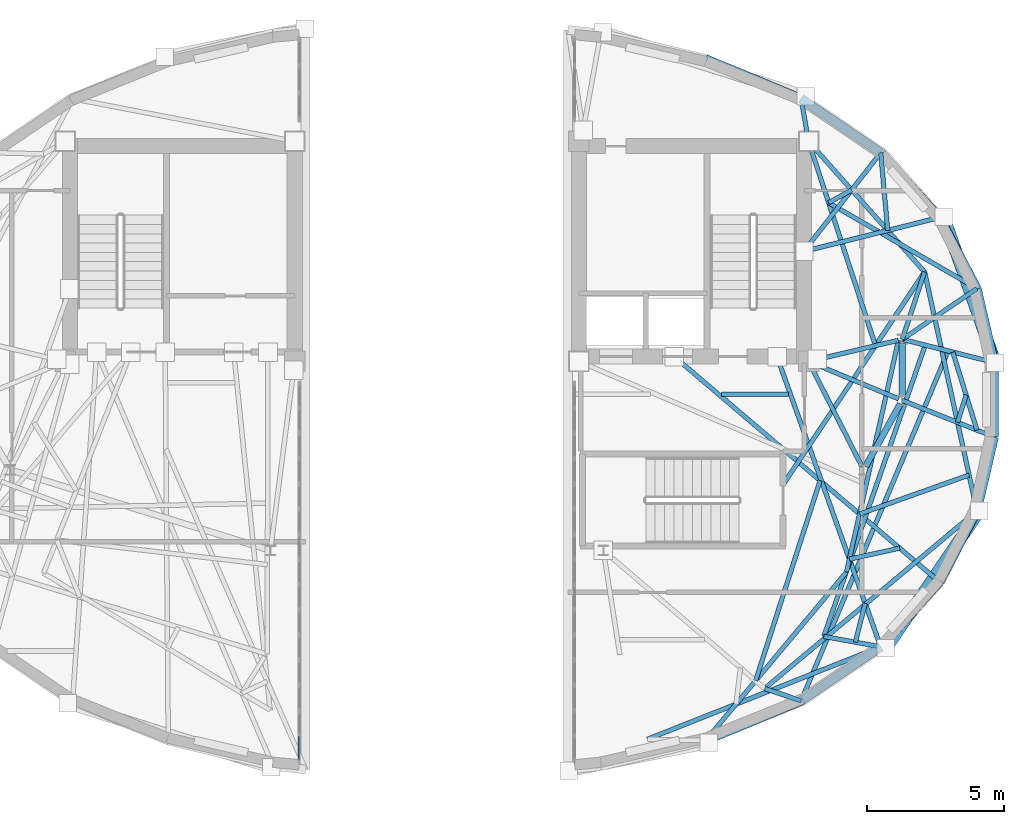
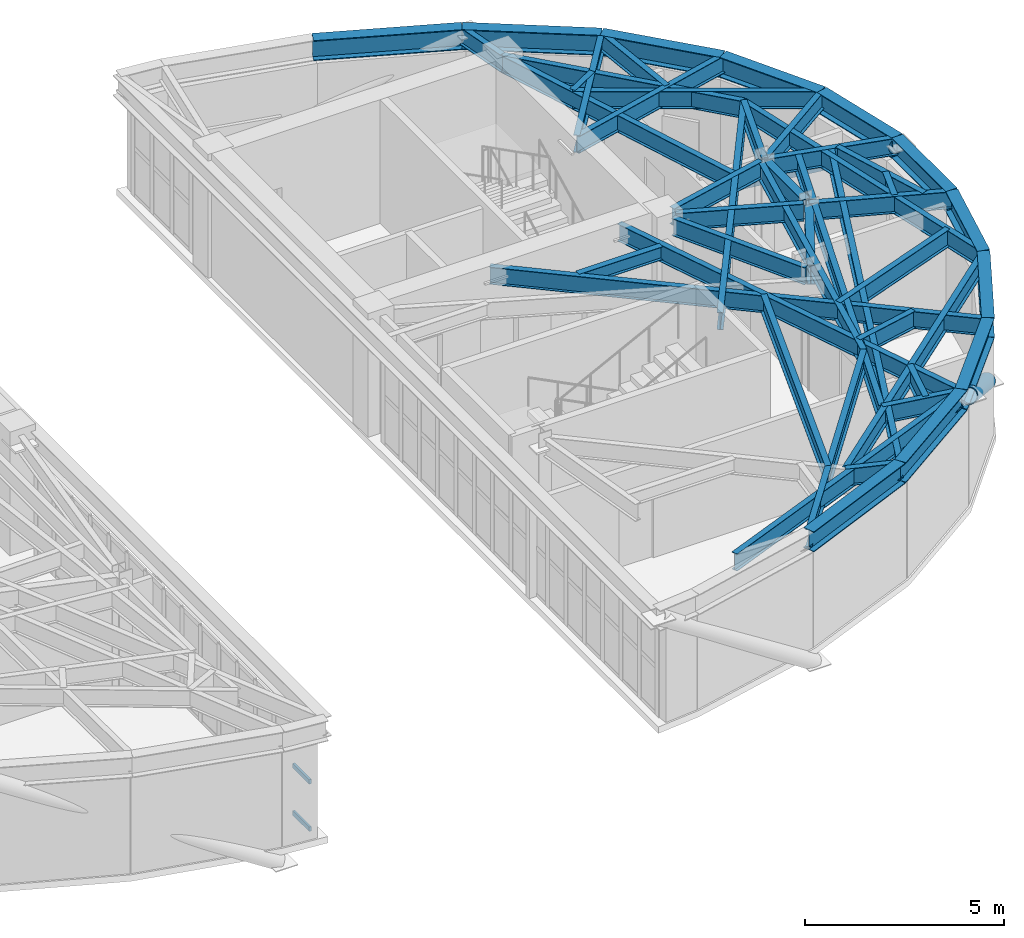
# One storey, part 5 of 13: 47 beams, 4 members, 1 element without a shape of its own.
"""IFC4 building model written with IfcOpenShell, lengths in metres."""

from ifc_helpers import new_model, si_unit, direction, frame, origin, origin_2d, place, context, subcontext, project, spatial, rectangle, hollow_circle, i_section, extrude, material, layer, layer_set, material_profile, profile_set, type_object, element, aggregate, save


model = new_model("IFC4")

# Units and contexts
model_context = context("Model", 3, precision=1e-05, world=origin(), true_north=direction((0.0, 1.0)))
body_context = subcontext(model_context, "Body", "Model", "MODEL_VIEW")
ifc_project = project(units=[si_unit("LENGTHUNIT", "METRE"), si_unit("AREAUNIT", "SQUARE_METRE"), si_unit("VOLUMEUNIT", "CUBIC_METRE"), si_unit("PLANEANGLEUNIT", "RADIAN"), si_unit("MASSUNIT", "GRAM", prefix="KILO")], contexts=[model_context])

# Site, building, storey
site_placement = place(None, origin())
site = spatial("IfcSite", under=ifc_project, at=site_placement, CompositionType="ELEMENT")
building_placement = place(site_placement, origin())
building = spatial("IfcBuilding", under=site, at=building_placement, Name="Keldmark Tower", CompositionType="ELEMENT")
storey_placement = place(building_placement, frame((0.0, 0.0, 276.800048828125)))
storey = spatial("IfcBuildingStorey", under=building, at=storey_placement, Name="L78", CompositionType="ELEMENT", Elevation=276.800048828125)

# Beam
ifc_material_1 = material(Name="Steel ASTM A992 Grade 50", Category="steel")
ifc_material_profile_1 = material_profile(ifc_material_1, i_section(OverallWidth=0.177978515625, OverallDepth=0.403076171875, WebThickness=0.007568359375, FlangeThickness=0.010986328125, at=origin_2d()), Name="W16X36")
ifc_profile_set_1 = profile_set([ifc_material_profile_1], Name="Steel ASTM A992 Grade 50")
beam_type_1 = type_object("IfcBeamType", Name="Composite Floor Joist W16X36", PredefinedType="JOIST", material=ifc_profile_set_1)
beam_1_placement = place(storey_placement, frame((10.423095703125, 0.199951171875, 3.3984375), z_axis=(1.0, 0.0, 0.0), x_axis=(0.0, 1.0, 0.0)))
element("IfcBeam", 1, at=beam_1_placement, inside=storey, type_object=beam_type_1, Name="L78 Composite Floor Joist J03", PredefinedType="JOIST", context=body_context, shape_type="SweptSolid", body=[
    extrude(i_section(OverallWidth=0.177978515625, OverallDepth=0.403076171875, WebThickness=0.007568359375, FlangeThickness=0.010986328125, at=origin_2d()), origin(), (0.0, 0.0, 1.0), 2.434814453125),
])

# Members
ifc_material_2 = material(Name="Steel ASTM A572 Grade 50", Category="steel")
ifc_material_profile_2 = material_profile(ifc_material_2, hollow_circle(Radius=0.22509765625, WallThickness=0.02197265625, at=origin_2d()), Name="CHS450X22")
ifc_profile_set_2 = profile_set([ifc_material_profile_2], Name="Steel ASTM A572 Grade 50")
member_type_1 = type_object("IfcMemberType", Name="Crown Frame Brace CHS450X22", PredefinedType="USERDEFINED", material=ifc_profile_set_2)
member_1_placement = place(storey_placement, frame((18.544921875, 6.688232421875, -0.449951171875), z_axis=(0.276718751371, -0.782531387423, 0.557737716438), x_axis=(0.942789303408, 0.333389156062, 0.0)))
element("IfcMember", 2, at=member_1_placement, inside=storey, type_object=member_type_1, Name="L78 Crown Frame Diagonal E04", ObjectType="CROWN FRAME", PredefinedType="USERDEFINED", context=body_context, shape_type="SweptSolid", body=[
    extrude(hollow_circle(Radius=0.22509765625, WallThickness=0.02197265625, at=origin_2d()), origin(), (0.0, 0.0, 1.0), 6.81298828125),
])
member_2_placement = place(storey_placement, frame((19.853271484375, -4.0625, -0.449951171875), z_axis=(-0.476744480543, -0.701749099464, 0.529398622658), x_axis=(0.827170275638, -0.561951363644, 0.0)))
element("IfcMember", 3, at=member_2_placement, inside=storey, type_object=member_type_1, Name="L78 Crown Frame Diagonal E08", ObjectType="CROWN FRAME", PredefinedType="USERDEFINED", context=body_context, shape_type="SweptSolid", body=[
    extrude(hollow_circle(Radius=0.22509765625, WallThickness=0.02197265625, at=origin_2d()), origin(), (0.0, 0.0, 1.0), 7.177490234375),
])

# Curtain wall, members
ifc_material_3 = material(Name="Unitized Thermally Broken Aluminum and Triple Low-E Glazing", Category="aluminium")
ifc_layer = layer(ifc_material_3, 0.219970703125)
ifc_layer_set = layer_set([ifc_layer], Name="Unitized Thermally Broken Aluminum and Triple Low-E Glazing")
curtain_wall_type = type_object("IfcCurtainWallType", Name="Split-Top Crown Lantern Curtain Wall System", PredefinedType="NOTDEFINED", material=ifc_layer_set)
curtain_wall_placement = place(storey_placement, origin())
curtain_wall = element("IfcCurtainWall", 4, at=curtain_wall_placement, inside=storey, type_object=curtain_wall_type, Name="L78 Split-Top Crown Lantern Curtain Wall System CW-L78-WS14-0", PredefinedType="NOTDEFINED")
ifc_material_4 = material(Name="Extruded Aluminum Alloy 6063-T6", Category="aluminium")
ifc_material_profile_3 = material_profile(ifc_material_4, rectangle(XDim=0.06005859375, YDim=0.139892578125, at=origin_2d()), Name="CWT60X140")
ifc_profile_set_3 = profile_set([ifc_material_profile_3], Name="Extruded Aluminum Alloy 6063-T6")
member_type_2 = type_object("IfcMemberType", Name="Curtain Wall Horizontal Transom 60x140", PredefinedType="USERDEFINED", material=ifc_profile_set_3)
member_3_placement = place(storey_placement, frame((-5.0400390625, -13.15869140625, 0.030029296875), z_axis=(0.0, 1.0, 0.0), x_axis=(-1.0, 0.0, 0.0)))
member_3 = element("IfcMember", 5, at=member_3_placement, type_object=member_type_2, Name="CW transom 1.1", ObjectType="TRANSOM", PredefinedType="USERDEFINED", context=body_context, shape_type="SweptSolid", body=[
    extrude(rectangle(XDim=0.06005859375, YDim=0.139892578125, at=origin_2d()), origin(), (0.0, 0.0, 1.0), 0.832763671875),
])
member_4_placement = place(storey_placement, frame((-5.0400390625, -13.15869140625, 1.48291015625), z_axis=(0.0, 1.0, 0.0), x_axis=(-1.0, 0.0, 0.0)))
member_4 = element("IfcMember", 6, at=member_4_placement, type_object=member_type_2, Name="CW transom 1.2", ObjectType="TRANSOM", PredefinedType="USERDEFINED", context=body_context, shape_type="SweptSolid", body=[
    extrude(rectangle(XDim=0.06005859375, YDim=0.139892578125, at=origin_2d()), origin(), (0.0, 0.0, 1.0), 0.832763671875),
])
aggregate(curtain_wall, [member_3, member_4])

# Beams
ifc_material_5 = material(Name="Steel ASTM A992 Grade 50", Category="steel")
ifc_material_profile_4 = material_profile(ifc_material_5, i_section(OverallWidth=0.22802734375, OverallDepth=0.60302734375, WebThickness=0.010498046875, FlangeThickness=0.014892578125, at=origin_2d()), Name="W24X68")
ifc_profile_set_4 = profile_set([ifc_material_profile_4], Name="Steel ASTM A992 Grade 50")
beam_type_2 = type_object("IfcBeamType", Name="Primary Floor Girder W24X68", PredefinedType="BEAM", material=ifc_profile_set_4)
beam_2_placement = place(storey_placement, frame((15.68408203125, -2.44482421875, 3.29833984375), z_axis=(0.484719680408, 0.874669555561, 0.0), x_axis=(-0.874669555561, 0.484719680408, 0.0)))
element("IfcBeam", 7, at=beam_2_placement, inside=storey, type_object=beam_type_2, Name="L78 Floor Ring Girder FG-R07", PredefinedType="BEAM", context=body_context, shape_type="SweptSolid", body=[
    extrude(i_section(OverallWidth=0.22802734375, OverallDepth=0.60302734375, WebThickness=0.010498046875, FlangeThickness=0.014892578125, at=origin_2d()), origin(), (0.0, 0.0, 1.0), 2.627685546875),
])
beam_3_placement = place(storey_placement, frame((17.025634765625, 0.115966796875, 3.29833984375), z_axis=(0.0, 1.0, 0.0), x_axis=(-1.0, 0.0, 0.0)))
element("IfcBeam", 8, at=beam_3_placement, inside=storey, type_object=beam_type_2, Name="L78 Floor Ring Girder FG-R08", PredefinedType="BEAM", context=body_context, shape_type="SweptSolid", body=[
    extrude(i_section(OverallWidth=0.22802734375, OverallDepth=0.60302734375, WebThickness=0.010498046875, FlangeThickness=0.014892578125, at=origin_2d()), origin(), (0.0, 0.0, 1.0), 1.9521484375),
])
ifc_material_6 = material(Name="Steel ASTM A992 Grade 50", Category="steel")
ifc_material_profile_5 = material_profile(ifc_material_6, i_section(OverallWidth=0.166015625, OverallDepth=0.529052734375, WebThickness=0.009765625, FlangeThickness=0.013671875, at=origin_2d()), Name="W21X50")
ifc_profile_set_5 = profile_set([ifc_material_profile_5], Name="Steel ASTM A992 Grade 50")
beam_type_3 = type_object("IfcBeamType", Name="Radial Tie Girder W21X50", PredefinedType="BEAM", material=ifc_profile_set_5)
beam_4_placement = place(storey_placement, frame((16.889404296875, 2.17578125, 3.33544921875), z_axis=(-0.97329039005, -0.229577474147, 0.0), x_axis=(0.229577474147, -0.97329039005, 0.0)))
element("IfcBeam", 9, at=beam_4_placement, inside=storey, type_object=beam_type_3, Name="L78 Floor Radial Girder FG-C01", PredefinedType="BEAM", context=body_context, shape_type="SweptSolid", body=[
    extrude(i_section(OverallWidth=0.166015625, OverallDepth=0.529052734375, WebThickness=0.009765625, FlangeThickness=0.013671875, at=origin_2d()), origin(), (0.0, 0.0, 1.0), 3.0595703125),
])
beam_5_placement = place(storey_placement, frame((15.552734375, -2.442626953125, 3.33544921875), z_axis=(-0.453004410574, 0.89150827478, 0.0), x_axis=(-0.89150827478, -0.453004410574, 0.0)))
element("IfcBeam", 10, at=beam_5_placement, inside=storey, type_object=beam_type_3, Name="L78 Floor Radial Girder FG-C11", PredefinedType="BEAM", context=body_context, shape_type="SweptSolid", body=[
    extrude(i_section(OverallWidth=0.166015625, OverallDepth=0.529052734375, WebThickness=0.009765625, FlangeThickness=0.013671875, at=origin_2d()), origin(), (0.0, 0.0, 1.0), 3.990234375),
])
beam_6_placement = place(storey_placement, frame((16.896240234375, 0.02978515625, 3.33544921875), z_axis=(-0.923403331902, 0.383831065226, 0.0), x_axis=(-0.383831065226, -0.923403331902, 0.0)))
element("IfcBeam", 11, at=beam_6_placement, inside=storey, type_object=beam_type_3, Name="L78 Floor Radial Girder FG-C12", PredefinedType="BEAM", context=body_context, shape_type="SweptSolid", body=[
    extrude(i_section(OverallWidth=0.166015625, OverallDepth=0.529052734375, WebThickness=0.009765625, FlangeThickness=0.013671875, at=origin_2d()), origin(), (0.0, 0.0, 1.0), 3.249755859375),
])
beam_7_placement = place(storey_placement, frame((16.889404296875, 2.17578125, 3.33544921875), z_axis=(-0.218824422824, -0.975764250204, 0.0), x_axis=(0.975764250204, -0.218824422824, 0.0)))
element("IfcBeam", 12, at=beam_7_placement, inside=storey, type_object=beam_type_3, Name="L78 Sub-Ring Step Girder STP1-E07", PredefinedType="BEAM", context=body_context, shape_type="SweptSolid", body=[
    extrude(i_section(OverallWidth=0.166015625, OverallDepth=0.529052734375, WebThickness=0.009765625, FlangeThickness=0.013671875, at=origin_2d()), origin(), (0.0, 0.0, 1.0), 8.6923828125),
])
beam_8_placement = place(storey_placement, frame((13.60009765625, 9.449951171875, 3.33544921875), z_axis=(0.311380160209, -0.95028542861, 0.0), x_axis=(0.95028542861, 0.311380160209, 0.0)))
element("IfcBeam", 13, at=beam_8_placement, inside=storey, type_object=beam_type_3, Name="L78 Framing Pin Header PH-002", PredefinedType="BEAM", context=body_context, shape_type="SweptSolid", body=[
    extrude(i_section(OverallWidth=0.166015625, OverallDepth=0.529052734375, WebThickness=0.009765625, FlangeThickness=0.013671875, at=origin_2d()), origin(), (0.0, 0.0, 1.0), 7.86328125),
])
beam_9_placement = place(storey_placement, frame((12.659912109375, -3.11328125, 3.33544921875), z_axis=(0.554115999973, 0.832439462408, 0.0), x_axis=(-0.832439462408, 0.554115999973, 0.0)))
element("IfcBeam", 14, at=beam_9_placement, inside=storey, type_object=beam_type_3, Name="L78 Intermediate Radial Step Girder CRT-E05M", PredefinedType="BEAM", context=body_context, shape_type="SweptSolid", body=[
    extrude(i_section(OverallWidth=0.166015625, OverallDepth=0.529052734375, WebThickness=0.009765625, FlangeThickness=0.013671875, at=origin_2d()), origin(), (0.0, 0.0, 1.0), 9.35693359375),
])
beam_10_placement = place(storey_placement, frame((17.025634765625, 2.2080078125, 3.33544921875), z_axis=(0.315016268374, 0.949086271453, 0.0), x_axis=(-0.949086271453, 0.315016268374, 0.0)))
element("IfcBeam", 15, at=beam_10_placement, inside=storey, type_object=beam_type_3, Name="L78 Local Collector Chord CRT-E05C", PredefinedType="BEAM", context=body_context, shape_type="SweptSolid", body=[
    extrude(i_section(OverallWidth=0.166015625, OverallDepth=0.529052734375, WebThickness=0.009765625, FlangeThickness=0.013671875, at=origin_2d()), origin(), (0.0, 0.0, 1.0), 2.60009765625),
])
beam_11_placement = place(storey_placement, frame((17.025634765625, 2.2080078125, 3.33544921875), z_axis=(0.82713248632, 0.562006984008, 0.0), x_axis=(-0.562006984008, 0.82713248632, 0.0)))
element("IfcBeam", 16, at=beam_11_placement, inside=storey, type_object=beam_type_3, Name="L78 Perimeter Column Bracket CRT-E06", PredefinedType="BEAM", context=body_context, shape_type="SweptSolid", body=[
    extrude(i_section(OverallWidth=0.166015625, OverallDepth=0.529052734375, WebThickness=0.009765625, FlangeThickness=0.013671875, at=origin_2d()), origin(), (0.0, 0.0, 1.0), 3.305908203125),
])
beam_12_placement = place(storey_placement, frame((17.025634765625, 2.2080078125, 3.33544921875), z_axis=(0.969868834346, -0.243627675285, 0.0), x_axis=(0.243627675285, 0.969868834346, 0.0)))
element("IfcBeam", 17, at=beam_12_placement, inside=storey, type_object=beam_type_3, Name="L78 Perimeter Column Bracket CRT-E07", PredefinedType="BEAM", context=body_context, shape_type="SweptSolid", body=[
    extrude(i_section(OverallWidth=0.166015625, OverallDepth=0.529052734375, WebThickness=0.009765625, FlangeThickness=0.013671875, at=origin_2d()), origin(), (0.0, 0.0, 1.0), 3.47119140625),
])
beam_13_placement = place(storey_placement, frame((17.025634765625, -0.02392578125, 3.33544921875), z_axis=(0.92926464276, -0.36941470425, 0.0), x_axis=(0.36941470425, 0.92926464276, 0.0)))
element("IfcBeam", 18, at=beam_13_placement, inside=storey, type_object=beam_type_3, Name="L78 Perimeter Column Bracket CRT-E08", PredefinedType="BEAM", context=body_context, shape_type="SweptSolid", body=[
    extrude(i_section(OverallWidth=0.166015625, OverallDepth=0.529052734375, WebThickness=0.009765625, FlangeThickness=0.013671875, at=origin_2d()), origin(), (0.0, 0.0, 1.0), 3.623046875),
])
beam_14_placement = place(storey_placement, frame((18.877197265625, 1.742919921875, 3.33544921875), z_axis=(0.295509708102, -0.955339736647, 0.0), x_axis=(0.955339736647, 0.295509708102, 0.0)))
element("IfcBeam", 19, at=beam_14_placement, inside=storey, type_object=beam_type_3, Name="L78 Framing Pin Header PH-003", PredefinedType="BEAM", context=body_context, shape_type="SweptSolid", body=[
    extrude(i_section(OverallWidth=0.166015625, OverallDepth=0.529052734375, WebThickness=0.009765625, FlangeThickness=0.013671875, at=origin_2d()), origin(), (0.0, 0.0, 1.0), 2.9873046875),
])
beam_15_placement = place(storey_placement, frame((19.36279296875, 0.17333984375, 3.33544921875), z_axis=(-0.297189051085, -0.954818657084, 0.0), x_axis=(0.954818657084, -0.297189051085, 0.0)))
element("IfcBeam", 20, at=beam_15_placement, inside=storey, type_object=beam_type_3, Name="L78 Framing Pin Header PH-004", PredefinedType="BEAM", context=body_context, shape_type="SweptSolid", body=[
    extrude(i_section(OverallWidth=0.166015625, OverallDepth=0.529052734375, WebThickness=0.009765625, FlangeThickness=0.013671875, at=origin_2d()), origin(), (0.0, 0.0, 1.0), 1.0498046875),
])
beam_16_placement = place(storey_placement, frame((17.8447265625, 4.67578125, 3.33544921875), z_axis=(0.21402068144, -0.976829129334, 0.0), x_axis=(0.976829129334, 0.21402068144, 0.0)))
element("IfcBeam", 21, at=beam_16_placement, inside=storey, type_object=beam_type_3, Name="L78 Perimeter Radial Tie Girder CRT-E09", PredefinedType="BEAM", context=body_context, shape_type="SweptSolid", body=[
    extrude(i_section(OverallWidth=0.166015625, OverallDepth=0.529052734375, WebThickness=0.009765625, FlangeThickness=0.013671875, at=origin_2d()), origin(), (0.0, 0.0, 1.0), 8.948974609375),
])
beam_17_placement = place(storey_placement, frame((19.47265625, -2.754638671875, 3.33544921875), z_axis=(-0.942043947224, -0.335489495363, 0.0), x_axis=(0.335489495363, -0.942043947224, 0.0)))
element("IfcBeam", 22, at=beam_17_placement, inside=storey, type_object=beam_type_3, Name="L78 Framing Pin Header PH-005", PredefinedType="BEAM", context=body_context, shape_type="SweptSolid", body=[
    extrude(i_section(OverallWidth=0.166015625, OverallDepth=0.529052734375, WebThickness=0.009765625, FlangeThickness=0.013671875, at=origin_2d()), origin(), (0.0, 0.0, 1.0), 4.255615234375),
])
beam_18_placement = place(storey_placement, frame((8.685791015625, 1.574951171875, 3.33544921875), z_axis=(0.762151248367, -0.647399007268, 0.0), x_axis=(0.647399007268, 0.762151248367, 0.0)))
element("IfcBeam", 23, at=beam_18_placement, inside=storey, type_object=beam_type_3, Name="L78 Perimeter Radial Tie Girder CRT-E10", PredefinedType="BEAM", context=body_context, shape_type="SweptSolid", body=[
    extrude(i_section(OverallWidth=0.166015625, OverallDepth=0.529052734375, WebThickness=0.009765625, FlangeThickness=0.013671875, at=origin_2d()), origin(), (0.0, 0.0, 1.0), 12.731201171875),
])
beam_19_placement = place(storey_placement, frame((16.933349609375, -5.430908203125, 3.33544921875), z_axis=(-0.97699464708, -0.213263826227, 0.0), x_axis=(0.213263826227, -0.97699464708, 0.0)))
element("IfcBeam", 24, at=beam_19_placement, inside=storey, type_object=beam_type_3, Name="L78 Framing Pin Header PH-006", PredefinedType="BEAM", context=body_context, shape_type="SweptSolid", body=[
    extrude(i_section(OverallWidth=0.166015625, OverallDepth=0.529052734375, WebThickness=0.009765625, FlangeThickness=0.013671875, at=origin_2d()), origin(), (0.0, 0.0, 1.0), 1.883056640625),
])
beam_20_placement = place(storey_placement, frame((12.4462890625, 1.574951171875, 3.33544921875), z_axis=(0.336529833954, -0.941672804566, 0.0), x_axis=(0.941672804566, 0.336529833954, 0.0)))
element("IfcBeam", 25, at=beam_20_placement, inside=storey, type_object=beam_type_3, Name="L78 Perimeter Radial Tie Girder CRT-E11", PredefinedType="BEAM", context=body_context, shape_type="SweptSolid", body=[
    extrude(i_section(OverallWidth=0.166015625, OverallDepth=0.529052734375, WebThickness=0.009765625, FlangeThickness=0.013671875, at=origin_2d()), origin(), (0.0, 0.0, 1.0), 11.27294921875),
])
beam_21_placement = place(storey_placement, frame((17.8671875, 1.99658203125, 3.33544921875), z_axis=(-0.328720329772, -0.944427310487, 0.0), x_axis=(0.944427310487, -0.328720329772, 0.0)))
element("IfcBeam", 26, at=beam_21_placement, inside=storey, type_object=beam_type_3, Name="L78 Intermediate Radial Step Girder CRT-E12M", PredefinedType="BEAM", context=body_context, shape_type="SweptSolid", body=[
    extrude(i_section(OverallWidth=0.166015625, OverallDepth=0.529052734375, WebThickness=0.009765625, FlangeThickness=0.013671875, at=origin_2d()), origin(), (0.0, 0.0, 1.0), 11.28466796875),
])
beam_22_placement = place(storey_placement, frame((16.239990234375, -9.04052734375, 3.33544921875), z_axis=(-0.983783054507, 0.179362486781, 0.0), x_axis=(-0.179362486781, -0.983783054507, 0.0)))
element("IfcBeam", 27, at=beam_22_placement, inside=storey, type_object=beam_type_3, Name="L78 Local Collector Chord CRT-E12C", PredefinedType="BEAM", context=body_context, shape_type="SweptSolid", body=[
    extrude(i_section(OverallWidth=0.166015625, OverallDepth=0.529052734375, WebThickness=0.009765625, FlangeThickness=0.013671875, at=origin_2d()), origin(), (0.0, 0.0, 1.0), 2.11669921875),
])
beam_23_placement = place(storey_placement, frame((15.6708984375, -7.4482421875, 3.33544921875), z_axis=(-0.244218445308, -0.969720243664, 0.0), x_axis=(0.969720243664, -0.244218445308, 0.0)))
element("IfcBeam", 28, at=beam_23_placement, inside=storey, type_object=beam_type_3, Name="L78 Framing Pin Header PH-007", PredefinedType="BEAM", context=body_context, shape_type="SweptSolid", body=[
    extrude(i_section(OverallWidth=0.166015625, OverallDepth=0.529052734375, WebThickness=0.009765625, FlangeThickness=0.013671875, at=origin_2d()), origin(), (0.0, 0.0, 1.0), 1.467529296875),
])
beam_24_placement = place(storey_placement, frame((18.708984375, 1.78515625, 3.33544921875), z_axis=(-0.387518519757, -0.921861918535, 0.0), x_axis=(0.921861918535, -0.387518519757, 0.0)))
element("IfcBeam", 29, at=beam_24_placement, inside=storey, type_object=beam_type_3, Name="L78 Perimeter Radial Tie Girder CRT-E12", PredefinedType="BEAM", context=body_context, shape_type="SweptSolid", body=[
    extrude(i_section(OverallWidth=0.166015625, OverallDepth=0.529052734375, WebThickness=0.009765625, FlangeThickness=0.013671875, at=origin_2d()), origin(), (0.0, 0.0, 1.0), 13.885986328125),
])
beam_25_placement = place(storey_placement, frame((19.760009765625, -4.06591796875, 3.33544921875), z_axis=(-0.76680871515, -0.641875684513, 0.0), x_axis=(0.641875684513, -0.76680871515, 0.0)))
element("IfcBeam", 30, at=beam_25_placement, inside=storey, type_object=beam_type_3, Name="L78 Intermediate Radial Step Girder CRT-E13M", PredefinedType="BEAM", context=body_context, shape_type="SweptSolid", body=[
    extrude(i_section(OverallWidth=0.166015625, OverallDepth=0.529052734375, WebThickness=0.009765625, FlangeThickness=0.013671875, at=origin_2d()), origin(), (0.0, 0.0, 1.0), 10.12841796875),
])
beam_26_placement = place(storey_placement, frame((13.327880859375, -11.015869140625, 3.33544921875), z_axis=(-0.947847653728, 0.318723744521, 0.0), x_axis=(-0.318723744521, -0.947847653728, 0.0)))
element("IfcBeam", 31, at=beam_26_placement, inside=storey, type_object=beam_type_3, Name="L78 Local Collector Chord CRT-E13C", PredefinedType="BEAM", context=body_context, shape_type="SweptSolid", body=[
    extrude(i_section(OverallWidth=0.166015625, OverallDepth=0.529052734375, WebThickness=0.009765625, FlangeThickness=0.013671875, at=origin_2d()), origin(), (0.0, 0.0, 1.0), 1.407958984375),
])
beam_27_placement = place(storey_placement, frame((17.8447265625, 4.67578125, 3.33544921875), z_axis=(-0.664444486462, 0.74733762411, 0.0), x_axis=(-0.74733762411, -0.664444486462, 0.0)))
element("IfcBeam", 32, at=beam_27_placement, inside=storey, type_object=beam_type_3, Name="L78 Straddling Support Chord CRT-E04RB", PredefinedType="BEAM", context=body_context, shape_type="SweptSolid", body=[
    extrude(i_section(OverallWidth=0.166015625, OverallDepth=0.529052734375, WebThickness=0.009765625, FlangeThickness=0.013671875, at=origin_2d()), origin(), (0.0, 0.0, 1.0), 6.38818359375),
])
beam_28_placement = place(storey_placement, frame((14.334716796875, 7.208251953125, 3.33544921875), z_axis=(0.874455835521, 0.485105134711, 0.0), x_axis=(-0.485105134711, 0.874455835521, 0.0)))
element("IfcBeam", 33, at=beam_28_placement, inside=storey, type_object=beam_type_3, Name="L78 Framing Pin Header PH-008", PredefinedType="BEAM", context=body_context, shape_type="SweptSolid", body=[
    extrude(i_section(OverallWidth=0.166015625, OverallDepth=0.529052734375, WebThickness=0.009765625, FlangeThickness=0.013671875, at=origin_2d()), origin(), (0.0, 0.0, 1.0), 0.9638671875),
])
beam_29_placement = place(storey_placement, frame((13.425048828125, 5.425048828125, 3.33544921875), z_axis=(0.614335229424, 0.78904513552, 0.0), x_axis=(-0.78904513552, 0.614335229424, 0.0)))
element("IfcBeam", 34, at=beam_29_placement, inside=storey, type_object=beam_type_3, Name="L78 Perimeter Radial Tie Girder CRT-E04R", PredefinedType="BEAM", context=body_context, shape_type="SweptSolid", body=[
    extrude(i_section(OverallWidth=0.166015625, OverallDepth=0.529052734375, WebThickness=0.009765625, FlangeThickness=0.013671875, at=origin_2d()), origin(), (0.0, 0.0, 1.0), 4.58203125),
])
beam_30_placement = place(storey_placement, frame((19.760009765625, 4.06591796875, 3.33544921875), z_axis=(-0.865331181256, 0.501200505533, 0.0), x_axis=(-0.501200505533, -0.865331181256, 0.0)))
element("IfcBeam", 35, at=beam_30_placement, inside=storey, type_object=beam_type_3, Name="L78 Straddling Support Chord CRT-E05RB", PredefinedType="BEAM", context=body_context, shape_type="SweptSolid", body=[
    extrude(i_section(OverallWidth=0.166015625, OverallDepth=0.529052734375, WebThickness=0.009765625, FlangeThickness=0.013671875, at=origin_2d()), origin(), (0.0, 0.0, 1.0), 6.26953125),
])
beam_31_placement = place(storey_placement, frame((16.239990234375, 9.04052734375, 3.33544921875), z_axis=(0.089334399502, -0.996001689289, 0.0), x_axis=(0.996001689289, 0.089334399502, 0.0)))
element("IfcBeam", 36, at=beam_31_placement, inside=storey, type_object=beam_type_3, Name="L78 Framing Pin Header PH-009", PredefinedType="BEAM", context=body_context, shape_type="SweptSolid", body=[
    extrude(i_section(OverallWidth=0.166015625, OverallDepth=0.529052734375, WebThickness=0.009765625, FlangeThickness=0.013671875, at=origin_2d()), origin(), (0.0, 0.0, 1.0), 2.858642578125),
])
beam_32_placement = place(storey_placement, frame((13.425048828125, 5.425048828125, 3.33544921875), z_axis=(0.970086342054, 0.242760146979, 0.0), x_axis=(-0.242760146979, 0.970086342054, 0.0)))
element("IfcBeam", 37, at=beam_32_placement, inside=storey, type_object=beam_type_3, Name="L78 Perimeter Radial Tie Girder CRT-E05R", PredefinedType="BEAM", context=body_context, shape_type="SweptSolid", body=[
    extrude(i_section(OverallWidth=0.166015625, OverallDepth=0.529052734375, WebThickness=0.009765625, FlangeThickness=0.013671875, at=origin_2d()), origin(), (0.0, 0.0, 1.0), 5.116943359375),
])
beam_33_placement = place(storey_placement, frame((14.0224609375, -2.958251953125, 3.33544921875), z_axis=(-0.306837784838, -0.951761826192, 0.0), x_axis=(0.951761826192, -0.306837784838, 0.0)))
element("IfcBeam", 38, at=beam_33_placement, inside=storey, type_object=beam_type_3, Name="L78 Framing Pin Header PH-010", PredefinedType="BEAM", context=body_context, shape_type="SweptSolid", body=[
    extrude(i_section(OverallWidth=0.166015625, OverallDepth=0.529052734375, WebThickness=0.009765625, FlangeThickness=0.013671875, at=origin_2d()), origin(), (0.0, 0.0, 1.0), 7.69580078125),
])
beam_34_placement = place(storey_placement, frame((14.9873046875, -6.305908203125, 3.33544921875), z_axis=(-0.641551302236, -0.767080130494, 0.0), x_axis=(0.767080130494, -0.641551302236, 0.0)))
element("IfcBeam", 39, at=beam_34_placement, inside=storey, type_object=beam_type_3, Name="L78 Perimeter Radial Tie Girder CRT-E13R", PredefinedType="BEAM", context=body_context, shape_type="SweptSolid", body=[
    extrude(i_section(OverallWidth=0.166015625, OverallDepth=0.529052734375, WebThickness=0.009765625, FlangeThickness=0.013671875, at=origin_2d()), origin(), (0.0, 0.0, 1.0), 8.040283203125),
])
beam_35_placement = place(storey_placement, frame((16.239990234375, -9.04052734375, 3.33544921875), z_axis=(-0.929669471689, -0.368394725001, 0.0), x_axis=(0.368394725001, -0.929669471689, 0.0)))
element("IfcBeam", 40, at=beam_35_placement, inside=storey, type_object=beam_type_3, Name="L78 Crown Step Radial Girder CRT-E14RN2", PredefinedType="BEAM", context=body_context, shape_type="SweptSolid", body=[
    extrude(i_section(OverallWidth=0.166015625, OverallDepth=0.529052734375, WebThickness=0.009765625, FlangeThickness=0.013671875, at=origin_2d()), origin(), (0.0, 0.0, 1.0), 9.1806640625),
])
beam_36_placement = place(storey_placement, frame((13.60009765625, 9.449951171875, 3.33544921875), z_axis=(-0.171269867639, 0.985224153398, 0.0), x_axis=(-0.985224153398, -0.171269867639, 0.0)))
element("IfcBeam", 41, at=beam_36_placement, inside=storey, type_object=beam_type_3, Name="L78 Perimeter Column Bracket CRT-E03G", PredefinedType="BEAM", context=body_context, shape_type="SweptSolid", body=[
    extrude(i_section(OverallWidth=0.166015625, OverallDepth=0.529052734375, WebThickness=0.009765625, FlangeThickness=0.013671875, at=origin_2d()), origin(), (0.0, 0.0, 1.0), 1.58935546875),
])
ifc_material_7 = material(Name="Steel ASTM A992 Grade 50", Category="steel")
ifc_material_profile_6 = material_profile(ifc_material_7, i_section(OverallWidth=0.326904296875, OverallDepth=0.6220703125, WebThickness=0.015380859375, FlangeThickness=0.0244140625, at=origin_2d()), Name="W24X131")
ifc_profile_set_6 = profile_set([ifc_material_profile_6], Name="Steel ASTM A992 Grade 50")
beam_type_4 = type_object("IfcBeamType", Name="Spandrel Ring Beam W24X131", PredefinedType="SPANDREL", material=ifc_profile_set_6)
beam_37_placement = place(storey_placement, frame((9.8291015625, 12.473388671875, 3.2890625), z_axis=(0.923105506265, -0.384546777783, 0.0), x_axis=(0.384546777783, 0.923105506265, 0.0)))
element("IfcBeam", 42, at=beam_37_placement, inside=storey, type_object=beam_type_4, Name="L78 Crown Spandrel Ring Beam CRB-E02", PredefinedType="SPANDREL", context=body_context, shape_type="SweptSolid", body=[
    extrude(i_section(OverallWidth=0.326904296875, OverallDepth=0.6220703125, WebThickness=0.015380859375, FlangeThickness=0.0244140625, at=origin_2d()), origin(), (0.0, 0.0, 1.0), 3.790283203125),
])
beam_38_placement = place(storey_placement, frame((13.327880859375, 11.015869140625, 3.2890625), z_axis=(0.827572470877, -0.56135889184, 0.0), x_axis=(0.56135889184, 0.827572470877, 0.0)))
element("IfcBeam", 43, at=beam_38_placement, inside=storey, type_object=beam_type_4, Name="L78 Crown Spandrel Ring Beam CRB-E03", PredefinedType="SPANDREL", context=body_context, shape_type="SweptSolid", body=[
    extrude(i_section(OverallWidth=0.326904296875, OverallDepth=0.6220703125, WebThickness=0.015380859375, FlangeThickness=0.0244140625, at=origin_2d()), origin(), (0.0, 0.0, 1.0), 3.518798828125),
])
beam_39_placement = place(storey_placement, frame((16.239990234375, 9.04052734375, 3.2890625), z_axis=(0.671198803594, -0.741277388064, 0.0), x_axis=(0.741277388064, 0.671198803594, 0.0)))
element("IfcBeam", 44, at=beam_39_placement, inside=storey, type_object=beam_type_4, Name="L78 Crown Spandrel Ring Beam CRB-E04", PredefinedType="SPANDREL", context=body_context, shape_type="SweptSolid", body=[
    extrude(i_section(OverallWidth=0.326904296875, OverallDepth=0.6220703125, WebThickness=0.015380859375, FlangeThickness=0.0244140625, at=origin_2d()), origin(), (0.0, 0.0, 1.0), 3.20166015625),
])
beam_40_placement = place(storey_placement, frame((18.388916015625, 6.667236328125, 3.2890625), z_axis=(0.466273321431, -0.884640712223, 0.0), x_axis=(0.884640712223, 0.466273321431, 0.0)))
element("IfcBeam", 45, at=beam_40_placement, inside=storey, type_object=beam_type_4, Name="L78 Crown Spandrel Ring Beam CRB-E05", PredefinedType="SPANDREL", context=body_context, shape_type="SweptSolid", body=[
    extrude(i_section(OverallWidth=0.326904296875, OverallDepth=0.6220703125, WebThickness=0.015380859375, FlangeThickness=0.0244140625, at=origin_2d()), origin(), (0.0, 0.0, 1.0), 2.9404296875),
])
beam_41_placement = place(storey_placement, frame((19.760009765625, 4.06591796875, 3.2890625), z_axis=(0.227735476416, -0.973723036999, 0.0), x_axis=(0.973723036999, 0.227735476416, 0.0)))
element("IfcBeam", 46, at=beam_41_placement, inside=storey, type_object=beam_type_4, Name="L78 Crown Spandrel Ring Beam CRB-E06", PredefinedType="SPANDREL", context=body_context, shape_type="SweptSolid", body=[
    extrude(i_section(OverallWidth=0.326904296875, OverallDepth=0.6220703125, WebThickness=0.015380859375, FlangeThickness=0.0244140625, at=origin_2d()), origin(), (0.0, 0.0, 1.0), 2.776611328125),
])
beam_42_placement = place(storey_placement, frame((20.392333984375, 1.3623046875, 3.2890625), z_axis=(0.0, -1.0, 0.0), x_axis=(1.0, 0.0, 0.0)))
element("IfcBeam", 47, at=beam_42_placement, inside=storey, type_object=beam_type_4, Name="L78 Crown Spandrel Ring Beam CRB-E07", PredefinedType="SPANDREL", context=body_context, shape_type="SweptSolid", body=[
    extrude(i_section(OverallWidth=0.326904296875, OverallDepth=0.6220703125, WebThickness=0.015380859375, FlangeThickness=0.0244140625, at=origin_2d()), origin(), (0.0, 0.0, 1.0), 2.724609375),
])
beam_43_placement = place(storey_placement, frame((20.392333984375, -1.3623046875, 3.2890625), z_axis=(-0.227735476416, -0.973723036999, 0.0), x_axis=(0.973723036999, -0.227735476416, 0.0)))
element("IfcBeam", 48, at=beam_43_placement, inside=storey, type_object=beam_type_4, Name="L78 Crown Spandrel Ring Beam CRB-E08", PredefinedType="SPANDREL", context=body_context, shape_type="SweptSolid", body=[
    extrude(i_section(OverallWidth=0.326904296875, OverallDepth=0.6220703125, WebThickness=0.015380859375, FlangeThickness=0.0244140625, at=origin_2d()), origin(), (0.0, 0.0, 1.0), 2.776611328125),
])
beam_44_placement = place(storey_placement, frame((19.760009765625, -4.06591796875, 3.2890625), z_axis=(-0.466273321431, -0.884640712223, 0.0), x_axis=(0.884640712223, -0.466273321431, 0.0)))
element("IfcBeam", 49, at=beam_44_placement, inside=storey, type_object=beam_type_4, Name="L78 Crown Spandrel Ring Beam CRB-E09", PredefinedType="SPANDREL", context=body_context, shape_type="SweptSolid", body=[
    extrude(i_section(OverallWidth=0.326904296875, OverallDepth=0.6220703125, WebThickness=0.015380859375, FlangeThickness=0.0244140625, at=origin_2d()), origin(), (0.0, 0.0, 1.0), 2.9404296875),
])
beam_45_placement = place(storey_placement, frame((18.388916015625, -6.667236328125, 3.2890625), z_axis=(-0.671198803594, -0.741277388064, 0.0), x_axis=(0.741277388064, -0.671198803594, 0.0)))
element("IfcBeam", 50, at=beam_45_placement, inside=storey, type_object=beam_type_4, Name="L78 Crown Spandrel Ring Beam CRB-E10", PredefinedType="SPANDREL", context=body_context, shape_type="SweptSolid", body=[
    extrude(i_section(OverallWidth=0.326904296875, OverallDepth=0.6220703125, WebThickness=0.015380859375, FlangeThickness=0.0244140625, at=origin_2d()), origin(), (0.0, 0.0, 1.0), 3.20166015625),
])
beam_46_placement = place(storey_placement, frame((16.239990234375, -9.04052734375, 3.2890625), z_axis=(-0.827572470877, -0.56135889184, 0.0), x_axis=(0.56135889184, -0.827572470877, 0.0)))
element("IfcBeam", 51, at=beam_46_placement, inside=storey, type_object=beam_type_4, Name="L78 Crown Spandrel Ring Beam CRB-E11", PredefinedType="SPANDREL", context=body_context, shape_type="SweptSolid", body=[
    extrude(i_section(OverallWidth=0.326904296875, OverallDepth=0.6220703125, WebThickness=0.015380859375, FlangeThickness=0.0244140625, at=origin_2d()), origin(), (0.0, 0.0, 1.0), 3.518798828125),
])
beam_47_placement = place(storey_placement, frame((13.327880859375, -11.015869140625, 3.2890625), z_axis=(-0.923105506265, -0.384546777783, 0.0), x_axis=(0.384546777783, -0.923105506265, 0.0)))
element("IfcBeam", 52, at=beam_47_placement, inside=storey, type_object=beam_type_4, Name="L78 Crown Spandrel Ring Beam CRB-E12", PredefinedType="SPANDREL", context=body_context, shape_type="SweptSolid", body=[
    extrude(i_section(OverallWidth=0.326904296875, OverallDepth=0.6220703125, WebThickness=0.015380859375, FlangeThickness=0.0244140625, at=origin_2d()), origin(), (0.0, 0.0, 1.0), 3.790283203125),
])

save(model, "model.ifc")
